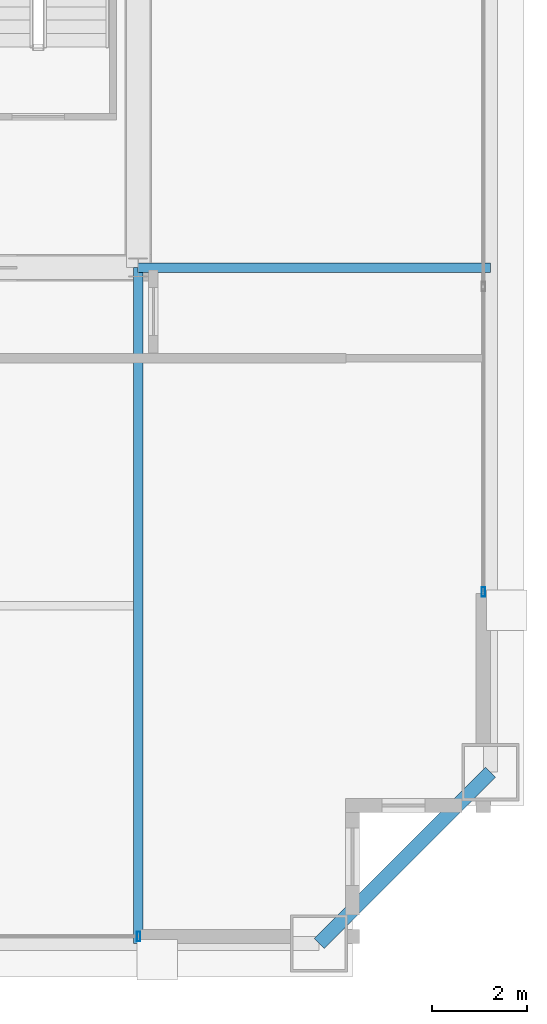
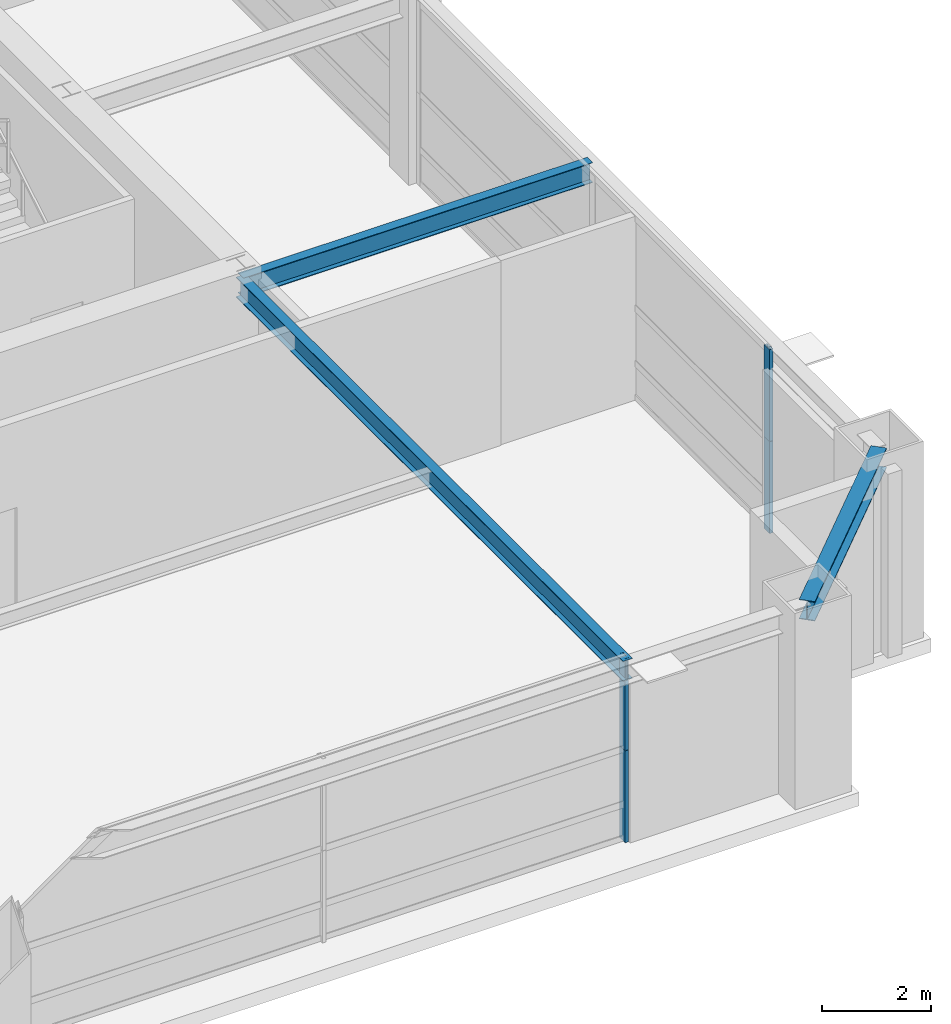
# One storey, part 12 of 26: 4 members, 3 beams, 2 elements without a shape of their own.
"""IFC4 building model written with IfcOpenShell, lengths in metres."""

from ifc_helpers import new_model, si_unit, direction, frame, origin, origin_2d, place, context, subcontext, project, spatial, hollow_rectangle, i_section, extrude, source, transform, mapped, material, layer, layer_set, material_profile, profile_set, type_object, element, aggregate, save


model = new_model("IFC4")

# Units and contexts
model_context = context("Model", 3, precision=1e-05, world=origin(), true_north=direction((0.0, 1.0)))
body_context = subcontext(model_context, "Body", "Model", "MODEL_VIEW")
ifc_project = project(units=[si_unit("LENGTHUNIT", "METRE"), si_unit("AREAUNIT", "SQUARE_METRE"), si_unit("VOLUMEUNIT", "CUBIC_METRE"), si_unit("PLANEANGLEUNIT", "RADIAN"), si_unit("MASSUNIT", "GRAM", prefix="KILO"), si_unit("THERMODYNAMICTEMPERATUREUNIT", "KELVIN"), si_unit("POWERUNIT", "WATT")], contexts=[model_context])

# Site, building, storey
site_placement = place(None, origin())
site = spatial("IfcSite", under=ifc_project, at=site_placement, CompositionType="ELEMENT")
building_placement = place(site_placement, origin())
building = spatial("IfcBuilding", under=site, at=building_placement, Name="Yuzanri Waterfront Tower", CompositionType="ELEMENT")
storey_placement = place(building_placement, frame((0.0, 0.0, 259.10009765625)))
storey = spatial("IfcBuildingStorey", under=building, at=storey_placement, Name="L69", CompositionType="ELEMENT", Elevation=259.10009765625)

# Beams
ifc_material_1 = material(Name="Steel Q355B", Category="steel")
ifc_material_profile_1 = material_profile(ifc_material_1, i_section(OverallWidth=0.300048828125, OverallDepth=0.43994140625, WebThickness=0.010986328125, FlangeThickness=0.01806640625, at=origin_2d()), Name="HM 440x300x11x18")
ifc_profile_set_1 = profile_set([ifc_material_profile_1], Name="Steel Q355B")
beam_type_1 = type_object("IfcBeamType", Name="Perimeter Spandrel Q355B HM 440x300", PredefinedType="SPANDREL", material=ifc_profile_set_1)
shared_shape_1 = source(origin(), body_context, "Body", "SweptSolid", [
    extrude(i_section(OverallWidth=0.300048828125, OverallDepth=0.43994140625, WebThickness=0.010986328125, FlangeThickness=0.01806640625, at=origin_2d()), origin(), (0.0, 0.0, 1.0), 5.09130859375),
])
beam_1_placement = place(storey_placement, frame((54.0, 5.199951171875, 3.89990234375), z_axis=(0.707106781187, 0.707106781187, 0.0), x_axis=(-0.707106781187, 0.707106781187, 0.0)))
element("IfcBeam", 1, at=beam_1_placement, inside=storey, type_object=beam_type_1, Name="L69 Perimeter Spandrel S3-E1", PredefinedType="SPANDREL", context=body_context, shape_type="MappedRepresentation", body=[
    mapped(shared_shape_1, transform((0.0, 0.0, 0.0), scale=1.0)),
])
ifc_material_2 = material(Name="Steel Q355B", Category="steel")
ifc_material_profile_2 = material_profile(ifc_material_2, i_section(OverallWidth=0.199951171875, OverallDepth=0.449951171875, WebThickness=0.009033203125, FlangeThickness=0.013916015625, at=origin_2d()), Name="HN 450x200x9x14")
ifc_profile_set_2 = profile_set([ifc_material_profile_2], Name="Steel Q355B")
beam_type_2 = type_object("IfcBeamType", Name="Secondary Floor Beam Q355B HN 450x200", PredefinedType="BEAM", material=ifc_profile_set_2)
shared_shape_2 = source(origin(), body_context, "Body", "SweptSolid", [
    extrude(i_section(OverallWidth=0.199951171875, OverallDepth=0.449951171875, WebThickness=0.009033203125, FlangeThickness=0.013916015625, at=origin_2d()), origin(), (0.0, 0.0, 1.0), 14.199951171875),
])
beam_2_placement = place(storey_placement, frame((50.199951171875, 19.39990234375, 3.89501953125), z_axis=(0.0, -1.0, 0.0), x_axis=(1.0, 0.0, 0.0)))
element("IfcBeam", 2, at=beam_2_placement, inside=storey, type_object=beam_type_2, Name="L69 South-East Core Line Beam", PredefinedType="BEAM", context=body_context, shape_type="MappedRepresentation", body=[
    mapped(shared_shape_2, transform((0.0, 0.0, 0.0), scale=1.0)),
])
shared_shape_3 = source(origin(), body_context, "Body", "SweptSolid", [
    extrude(i_section(OverallWidth=0.199951171875, OverallDepth=0.449951171875, WebThickness=0.009033203125, FlangeThickness=0.013916015625, at=origin_2d()), origin(), (0.0, 0.0, 1.0), 7.400146484375),
])
beam_3_placement = place(storey_placement, frame((50.199951171875, 19.39990234375, 3.89501953125), z_axis=(1.0, 0.0, 0.0), x_axis=(0.0, 1.0, 0.0)))
element("IfcBeam", 3, at=beam_3_placement, inside=storey, type_object=beam_type_2, Name="L69 East-South Core Line Beam", PredefinedType="BEAM", context=body_context, shape_type="MappedRepresentation", body=[
    mapped(shared_shape_3, transform((0.0, 0.0, 0.0), scale=1.0)),
])

# Curtain wall, members
ifc_material_3 = material(Name="Anodized Architectural Bronze", Category="metal")
ifc_layer = layer(ifc_material_3, 0.159912109375)
ifc_layer_set = layer_set([ifc_layer], Name="Anodized Architectural Bronze")
curtain_wall_type = type_object("IfcCurtainWallType", Name="Anodized Bronze Sky-Lobby Triple-Glazed Feature Curtain Wall 7500", PredefinedType="NOTDEFINED", material=ifc_layer_set)
curtain_wall_1_placement = place(storey_placement, origin())
curtain_wall_1 = element("IfcCurtainWall", 4, at=curtain_wall_1_placement, inside=storey, type_object=curtain_wall_type, Name="L69 Curtain Wall CW-L69-SR", PredefinedType="NOTDEFINED")
ifc_material_4 = material(Name="Anodized Architectural Bronze", Category="metal")
ifc_material_profile_3 = material_profile(ifc_material_4, hollow_rectangle(XDim=0.074951171875, YDim=0.199951171875, WallThickness=0.00390625, at=origin_2d()), Name="CWM 75x200")
ifc_profile_set_3 = profile_set([ifc_material_profile_3], Name="Anodized Architectural Bronze")
member_type = type_object("IfcMemberType", Name="Anodized Bronze Primary Curtain-Wall Mullion 75x200", PredefinedType="MULLION", material=ifc_profile_set_3)
shared_shape_4 = source(origin(), body_context, "Body", "SweptSolid", [
    extrude(hollow_rectangle(XDim=0.074951171875, YDim=0.199951171875, WallThickness=0.00390625, at=origin_2d()), origin(), (0.0, 0.0, 1.0), 2.057861328125),
])
member_1_placement = place(storey_placement, frame((50.2099609375, 5.35009765625, 0.0), z_axis=(0.0, 0.0, 1.0), x_axis=(1.0, 0.0, 0.0)))
member_1 = element("IfcMember", 5, at=member_1_placement, type_object=member_type, Name="CW-L69-SR Lower Mullion 02", PredefinedType="MULLION", context=body_context, shape_type="MappedRepresentation", body=[
    mapped(shared_shape_4, transform((0.0, 0.0, 0.0), scale=1.0)),
])
member_2_placement = place(storey_placement, frame((50.2099609375, 5.35009765625, 2.06201171875), z_axis=(0.0, 0.0, 1.0), x_axis=(1.0, 0.0, 0.0)))
member_2 = element("IfcMember", 6, at=member_2_placement, type_object=member_type, Name="CW-L69-SR Upper Mullion 02", PredefinedType="MULLION", context=body_context, shape_type="MappedRepresentation", body=[
    mapped(shared_shape_4, transform((0.0, 0.0, 0.0), scale=1.0)),
])
aggregate(curtain_wall_1, [member_1, member_2])

curtain_wall_2_placement = place(storey_placement, origin())
curtain_wall_2 = element("IfcCurtainWall", 7, at=curtain_wall_2_placement, inside=storey, type_object=curtain_wall_type, Name="L69 Curtain Wall CW-L69-EL", PredefinedType="NOTDEFINED")
member_3_placement = place(storey_placement, frame((57.449951171875, 12.590087890625, 0.0), z_axis=(0.0, 0.0, 1.0), x_axis=(1.0, 0.0, 0.0)))
member_3 = element("IfcMember", 8, at=member_3_placement, type_object=member_type, Name="CW-L69-EL Lower Mullion 00", PredefinedType="MULLION", context=body_context, shape_type="MappedRepresentation", body=[
    mapped(shared_shape_4, transform((0.0, 0.0, 0.0), scale=1.0)),
])
member_4_placement = place(storey_placement, frame((57.449951171875, 12.590087890625, 2.06201171875), z_axis=(0.0, 0.0, 1.0), x_axis=(1.0, 0.0, 0.0)))
member_4 = element("IfcMember", 9, at=member_4_placement, type_object=member_type, Name="CW-L69-EL Upper Mullion 00", PredefinedType="MULLION", context=body_context, shape_type="MappedRepresentation", body=[
    mapped(shared_shape_4, transform((0.0, 0.0, 0.0), scale=1.0)),
])
aggregate(curtain_wall_2, [member_3, member_4])

save(model, "model.ifc")
